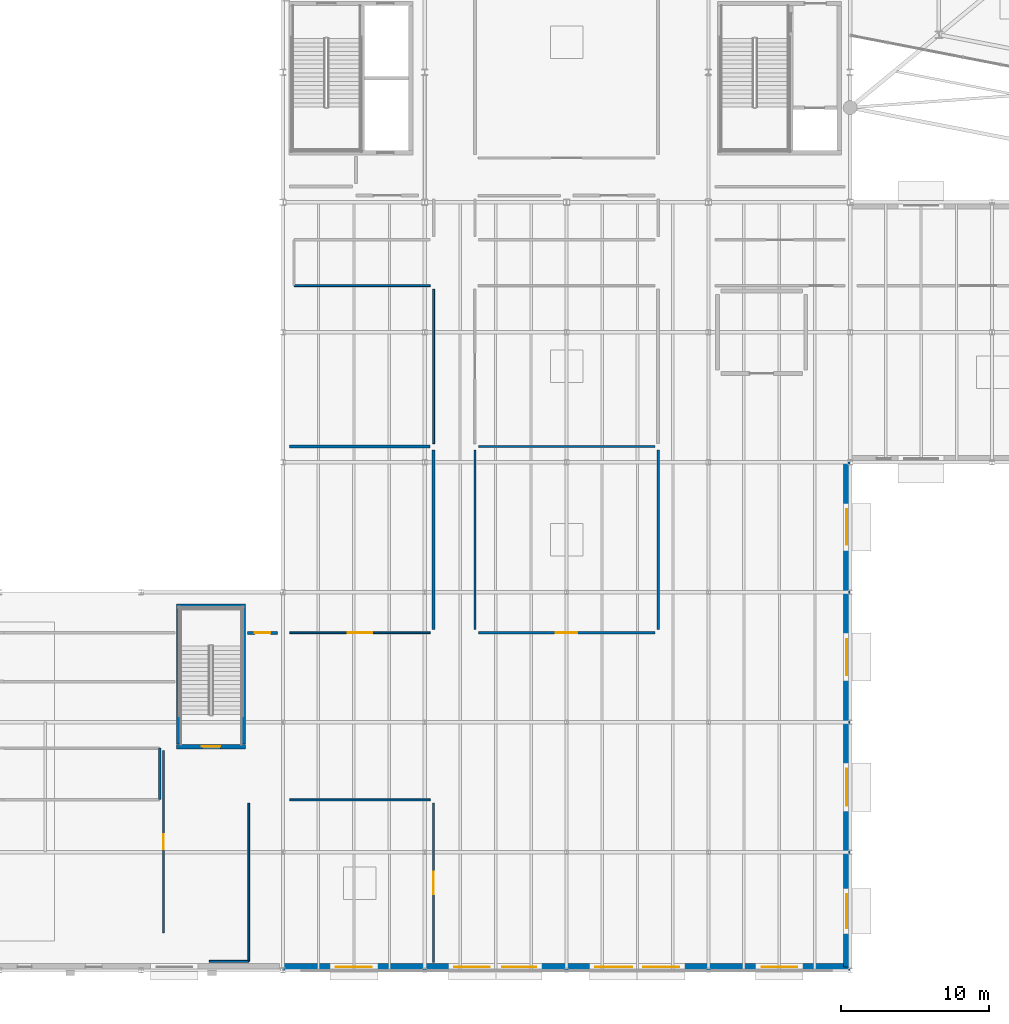
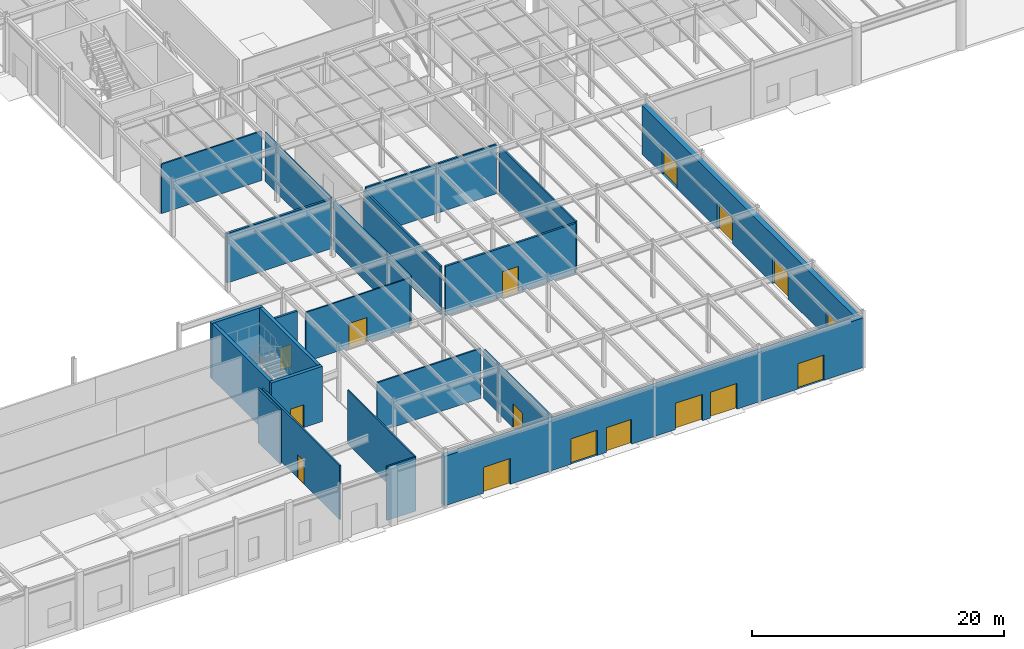
# One storey, part 46 of 70: 22 walls, 16 doors, 16 openings.
"""IFC4 building model written with IfcOpenShell, lengths in metres."""

from ifc_helpers import new_model, si_unit, direction, frame, frame_2d, origin, place, context, subcontext, project, spatial, rectangle, extrude, material, layer, layer_set, type_object, element, fill, save


model = new_model("IFC4")

# Units and contexts
model_context = context("Model", 3, precision=1e-05, world=origin(), true_north=direction((0.0, 1.0)))
body_context = subcontext(model_context, "Body", "Model", "MODEL_VIEW")
ifc_project = project(units=[si_unit("LENGTHUNIT", "METRE"), si_unit("AREAUNIT", "SQUARE_METRE"), si_unit("VOLUMEUNIT", "CUBIC_METRE"), si_unit("PLANEANGLEUNIT", "RADIAN"), si_unit("MASSUNIT", "GRAM", prefix="KILO")], contexts=[model_context])

# Site, building, storey
site_placement = place(None, origin())
site = spatial("IfcSite", under=ifc_project, at=site_placement, CompositionType="ELEMENT")
building_placement = place(site_placement, origin())
building = spatial("IfcBuilding", under=site, at=building_placement, Name="Sarnbrook Museum", CompositionType="ELEMENT")
storey_placement = place(building_placement, origin())
storey = spatial("IfcBuildingStorey", under=building, at=storey_placement, Name="L00", CompositionType="ELEMENT", Elevation=0.0)

# Wall, opening, door
ifc_material_1 = material(Name="Concrete N50 (AS 3600, f'c = 50 MPa)", Category="concrete")
ifc_layer_1 = layer(ifc_material_1, 0.300048828125)
ifc_layer_set_1 = layer_set([ifc_layer_1], Name="Concrete N50 (AS 3600, f'c = 50 MPa)")
wall_type_1 = type_object("IfcWallType", Name="CoreWall_CWRC", PredefinedType="SHEAR", material=ifc_layer_set_1)
wall_1_placement = place(storey_placement, frame((73.60009765625, 19.949951171875, 0.0), z_axis=(0.0, 0.0, 1.0), x_axis=(1.0, 0.0, 0.0)))
wall_1 = element("IfcWall", 1, at=wall_1_placement, inside=storey, type_object=wall_type_1, Name="Core C8 Shear Wall S L00", PredefinedType="SHEAR", context=body_context, shape_type="SweptSolid", body=[
    extrude(rectangle(XDim=4.679931640625, YDim=0.300048828125, at=frame_2d((2.33984375, 0.0))), origin(), (0.0, 0.0, 1.0), 5.344970703125),
])
opening_1_placement = place(wall_1_placement, frame((1.715087890625, 0.0, 0.0)))
opening_1 = element("IfcOpeningElement", 2, at=opening_1_placement, cuts=wall_1, Name="Opening D-ST-ST8-L00", PredefinedType="OPENING", context=body_context, shape_type="SweptSolid", body=[
    extrude(rectangle(XDim=1.25, YDim=2.199951171875, at=frame_2d((0.625, 1.10009765625))), frame((0.0, 0.16015625, 0.0), z_axis=(0.0, -1.0, 0.0), x_axis=(1.0, 0.0, 0.0)), (0.0, 0.0, 1.0), 0.320068359375),
])
ifc_material_2 = material(Name="Tasmanian Oak Acoustic Timber", Category="wood")
door_type_1 = type_object("IfcDoorType", Name="FireDoor_FD120", OperationType="NOTDEFINED", PredefinedType="DOOR", material=ifc_material_2)
door_1_placement = place(opening_1_placement, frame((1.25, 0.0, 0.0), z_axis=(0.0, 0.0, 1.0), x_axis=(-1.0, 0.0, 0.0)))
door_1 = element("IfcDoor", 3, at=door_1_placement, inside=storey, type_object=door_type_1, Name="Exit Stair ST8 Fire Door L00", OperationType="SINGLE_SWING_RIGHT", OverallHeight=2.199951171875, OverallWidth=1.25, PredefinedType="DOOR", context=body_context, shape_type="SweptSolid", body=[
    extrude(rectangle(XDim=1.25, YDim=2.199951171875, at=frame_2d((0.625, 1.10009765625))), frame((0.0, 0.02490234375, 0.0), z_axis=(0.0, -1.0, 0.0), x_axis=(1.0, 0.0, 0.0)), (0.0, 0.0, 1.0), 0.050048828125),
])
fill(opening_1, door_1)

# Walls
wall_2_placement = place(storey_placement, frame((78.280029296875, 29.449951171875, 0.0), z_axis=(0.0, 0.0, 1.0), x_axis=(-1.0, 0.0, 0.0)))
element("IfcWall", 4, at=wall_2_placement, inside=storey, type_object=wall_type_1, Name="Core C8 Shear Wall N L00", PredefinedType="SHEAR", context=body_context, shape_type="SweptSolid", body=[
    extrude(rectangle(XDim=4.679931640625, YDim=0.300048828125, at=frame_2d((2.33984375, 0.0))), origin(), (0.0, 0.0, 1.0), 5.344970703125),
])
for number, where, z_axis, x_axis, name in (
    (5, (78.1298828125, 20.110107421875, 0.0), (0.0, 0.0, 1.0), (0.0, 1.0, 0.0), "Core C8 Shear Wall E L00"),
    (6, (73.75, 29.2900390625, 0.0), (0.0, 0.0, 1.0), (0.0, -1.0, 0.0), "Core C8 Shear Wall W L00"),
):
    element("IfcWall", number, at=place(storey_placement, frame(where, z_axis=z_axis, x_axis=x_axis)), inside=storey, type_object=wall_type_1, Name=name, PredefinedType="SHEAR", context=body_context, shape_type="SweptSolid", body=[
        extrude(rectangle(XDim=9.179931640625, YDim=0.300048828125, at=frame_2d((4.58984375, 0.0))), origin(), (0.0, 0.0, 1.0), 5.344970703125),
    ])
ifc_material_3 = material(Name="Fire-Rated Acoustic Gypsum Plasterboard")
ifc_layer_2 = layer(ifc_material_3, 0.1201171875)
ifc_layer_set_2 = layer_set([ifc_layer_2], Name="Fire-Rated Acoustic Gypsum Plasterboard")
wall_type_2 = type_object("IfcWallType", Name="PartWall_P120", PredefinedType="PARTITIONING", material=ifc_layer_set_2)
wall_3_placement = place(storey_placement, frame((78.489990234375, 5.419921875, 0.0), z_axis=(0.0, 0.0, 1.0), x_axis=(0.0, 1.0, 0.0)))
element("IfcWall", 7, at=wall_3_placement, inside=storey, type_object=wall_type_2, Name="Interior Partition Wall L00-0167", PredefinedType="PARTITIONING", context=body_context, shape_type="SweptSolid", body=[
    extrude(rectangle(XDim=10.7001953125, YDim=0.1201171875, at=frame_2d((5.35009765625, 0.0))), origin(), (0.0, 0.0, 1.0), 5.22998046875),
])

# Wall, opening, door
wall_4_placement = place(storey_placement, frame((90.77001953125, 27.64990234375, 0.0), z_axis=(0.0, 0.0, 1.0), x_axis=(-1.0, 0.0, 0.0)))
wall_4 = element("IfcWall", 8, at=wall_4_placement, inside=storey, type_object=wall_type_2, Name="Interior Partition Wall L00-0195", PredefinedType="PARTITIONING", context=body_context, shape_type="SweptSolid", body=[
    extrude(rectangle(XDim=9.52001953125, YDim=0.1201171875, at=frame_2d((4.760009765625, 0.0))), origin(), (0.0, 0.0, 1.0), 4.787109375),
])
opening_2_placement = place(wall_4_placement, frame((3.929931640625, 0.0, 0.0)))
opening_2 = element("IfcOpeningElement", 9, at=opening_2_placement, cuts=wall_4, Name="Opening D-L00-064", PredefinedType="OPENING", context=body_context, shape_type="SweptSolid", body=[
    extrude(rectangle(XDim=1.659912109375, YDim=2.340087890625, at=frame_2d((0.830078125, 1.169921875))), frame((0.0, 0.070068359375, 0.0), z_axis=(0.0, -1.0, 0.0), x_axis=(1.0, 0.0, 0.0)), (0.0, 0.0, 1.0), 0.14013671875),
])
door_type_2 = type_object("IfcDoorType", Name="IntDoor_DT26", OperationType="NOTDEFINED", PredefinedType="DOOR", material=ifc_material_2)
door_2_placement = place(opening_2_placement, frame((1.659912109375, 0.0, 0.0), z_axis=(0.0, 0.0, 1.0), x_axis=(-1.0, 0.0, 0.0)))
door_2 = element("IfcDoor", 10, at=door_2_placement, inside=storey, type_object=door_type_2, Name="Museum Bookshop & Retail Hall L00-6 Door D-L00-064", OperationType="DOUBLE_DOOR_SINGLE_SWING", OverallHeight=2.340087890625, OverallWidth=1.659912109375, PredefinedType="DOOR", context=body_context, shape_type="SweptSolid", body=[
    extrude(rectangle(XDim=1.659912109375, YDim=2.340087890625, at=frame_2d((0.830078125, 1.169921875))), frame((0.0, 0.02490234375, 0.0), z_axis=(0.0, -1.0, 0.0), x_axis=(1.0, 0.0, 0.0)), (0.0, 0.0, 1.0), 0.050048828125),
])
fill(opening_2, door_2)

# Walls
wall_5_placement = place(storey_placement, frame((91.0, 50.919921875, 0.0), z_axis=(0.0, 0.0, 1.0), x_axis=(0.0, -1.0, 0.0)))
element("IfcWall", 11, at=wall_5_placement, inside=storey, type_object=wall_type_2, Name="Interior Partition Wall L00-0202", PredefinedType="PARTITIONING", context=body_context, shape_type="SweptSolid", body=[
    extrude(rectangle(XDim=10.469970703125, YDim=0.1201171875, at=frame_2d((5.23486328125, 0.0))), origin(), (0.0, 0.0, 1.0), 4.7080078125),
])
ifc_layer_3 = layer(ifc_material_3, 0.135009765625)
ifc_layer_set_3 = layer_set([ifc_layer_3], Name="Fire-Rated Acoustic Gypsum Plasterboard")
wall_type_3 = type_object("IfcWallType", Name="PartWall_P135", PredefinedType="PARTITIONING", material=ifc_layer_set_3)
wall_6_placement = place(storey_placement, frame((75.824462890625, 5.409912109375, 0.0), z_axis=(0.0, 0.0, 1.0), x_axis=(1.0, 0.0, 0.0)))
element("IfcWall", 12, at=wall_6_placement, inside=storey, type_object=wall_type_3, Name="Interior Partition Wall L00-0166", PredefinedType="PARTITIONING", context=body_context, shape_type="SweptSolid", body=[
    extrude(rectangle(XDim=2.655517578125, YDim=0.135009765625, at=frame_2d((1.32763671875, 0.0))), origin(), (0.0, 0.0, 1.0), 5.22998046875),
])
wall_7_placement = place(storey_placement, frame((81.25, 16.35009765625, 0.0), z_axis=(0.0, 0.0, 1.0), x_axis=(1.0, 0.0, 0.0)))
element("IfcWall", 13, at=wall_7_placement, inside=storey, type_object=wall_type_3, Name="Interior Partition Wall L00-0194", PredefinedType="PARTITIONING", context=body_context, shape_type="SweptSolid", body=[
    extrude(rectangle(XDim=9.52001953125, YDim=0.135009765625, at=frame_2d((4.760009765625, 0.0))), origin(), (0.0, 0.0, 1.0), 4.826904296875),
])
wall_8_placement = place(storey_placement, frame((81.56005859375, 51.14990234375, 0.0), z_axis=(0.0, 0.0, 1.0), x_axis=(1.0, 0.0, 0.0)))
element("IfcWall", 14, at=wall_8_placement, inside=storey, type_object=wall_type_3, Name="Interior Partition Wall L00-0201", PredefinedType="PARTITIONING", context=body_context, shape_type="SweptSolid", body=[
    extrude(rectangle(XDim=9.2099609375, YDim=0.135009765625, at=frame_2d((4.60498046875, 0.0))), origin(), (0.0, 0.0, 1.0), 4.787109375),
])

# Wall, opening, door
ifc_layer_4 = layer(ifc_material_3, 0.14990234375)
ifc_layer_set_4 = layer_set([ifc_layer_4], Name="Fire-Rated Acoustic Gypsum Plasterboard")
wall_type_4 = type_object("IfcWallType", Name="PartWall_P150", PredefinedType="PARTITIONING", material=ifc_layer_set_4)
wall_9_placement = place(storey_placement, frame((72.7099609375, 19.679931640625, 0.0), z_axis=(0.0, 0.0, 1.0), x_axis=(0.0, -1.0, 0.0)))
wall_9 = element("IfcWall", 15, at=wall_9_placement, inside=storey, type_object=wall_type_4, Name="Interior Partition Wall L00-0165", PredefinedType="PARTITIONING", context=body_context, shape_type="SweptSolid", body=[
    extrude(rectangle(XDim=12.34716796875, YDim=0.14990234375, at=frame_2d((6.173583984375, 0.0))), origin(), (0.0, 0.0, 1.0), 5.22998046875),
])
opening_3_placement = place(wall_9_placement, frame((5.66357421875, 0.0, 0.0)))
opening_3 = element("IfcOpeningElement", 16, at=opening_3_placement, cuts=wall_9, Name="Opening D-L00-053", PredefinedType="OPENING", context=body_context, shape_type="SweptSolid", body=[
    extrude(rectangle(XDim=1.02001953125, YDim=2.239990234375, at=frame_2d((0.510009765625, 1.1201171875))), frame((0.0, 0.0849609375, 0.0), z_axis=(0.0, -1.0, 0.0), x_axis=(1.0, 0.0, 0.0)), (0.0, 0.0, 1.0), 0.169921875),
])
door_type_3 = type_object("IfcDoorType", Name="IntDoor_DT15", OperationType="NOTDEFINED", PredefinedType="DOOR", material=ifc_material_2)
door_3_placement = place(opening_3_placement, frame((1.02001953125, 0.0, 0.0), z_axis=(0.0, 0.0, 1.0), x_axis=(-1.0, 0.0, 0.0)))
door_3 = element("IfcDoor", 17, at=door_3_placement, inside=storey, type_object=door_type_3, Name="Main Neoclassical Lecture Auditorium Door D-L00-053", OperationType="SINGLE_SWING_LEFT", OverallHeight=2.239990234375, OverallWidth=1.02001953125, PredefinedType="DOOR", context=body_context, shape_type="SweptSolid", body=[
    extrude(rectangle(XDim=1.02001953125, YDim=2.239990234375, at=frame_2d((0.510009765625, 1.1201171875))), frame((0.0, 0.02490234375, 0.0), z_axis=(0.0, -1.0, 0.0), x_axis=(1.0, 0.0, 0.0)), (0.0, 0.0, 1.0), 0.050048828125),
])
fill(opening_3, door_3)

wall_10_placement = place(storey_placement, frame((91.0, 16.1201171875, 0.0), z_axis=(0.0, 0.0, 1.0), x_axis=(0.0, -1.0, 0.0)))
wall_10 = element("IfcWall", 18, at=wall_10_placement, inside=storey, type_object=wall_type_4, Name="Interior Partition Wall L00-0193", PredefinedType="PARTITIONING", context=body_context, shape_type="SweptSolid", body=[
    extrude(rectangle(XDim=10.780029296875, YDim=0.14990234375, at=frame_2d((5.39013671875, 0.0))), origin(), (0.0, 0.0, 1.0), 4.748046875),
])
opening_4_placement = place(wall_10_placement, frame((4.6298828125, 0.0, 0.0)))
opening_4 = element("IfcOpeningElement", 19, at=opening_4_placement, cuts=wall_10, Name="Opening D-L00-063", PredefinedType="OPENING", context=body_context, shape_type="SweptSolid", body=[
    extrude(rectangle(XDim=1.52001953125, YDim=2.340087890625, at=frame_2d((0.760009765625, 1.169921875))), frame((0.0, 0.0849609375, 0.0), z_axis=(0.0, -1.0, 0.0), x_axis=(1.0, 0.0, 0.0)), (0.0, 0.0, 1.0), 0.169921875),
])
door_type_4 = type_object("IfcDoorType", Name="IntDoor_DT25", OperationType="NOTDEFINED", PredefinedType="DOOR", material=ifc_material_2)
door_4_placement = place(opening_4_placement, frame((1.52001953125, 0.0, 0.0), z_axis=(0.0, 0.0, 1.0), x_axis=(-1.0, 0.0, 0.0)))
door_4 = element("IfcDoor", 20, at=door_4_placement, inside=storey, type_object=door_type_4, Name="Sculpture Plinth Gallery L00-5 Door D-L00-063", OperationType="SINGLE_SWING_LEFT", OverallHeight=2.340087890625, OverallWidth=1.52001953125, PredefinedType="DOOR", context=body_context, shape_type="SweptSolid", body=[
    extrude(rectangle(XDim=1.52001953125, YDim=2.340087890625, at=frame_2d((0.760009765625, 1.169921875))), frame((0.0, 0.02490234375, 0.0), z_axis=(0.0, -1.0, 0.0), x_axis=(1.0, 0.0, 0.0)), (0.0, 0.0, 1.0), 0.050048828125),
])
fill(opening_4, door_4)

# Walls
wall_11_placement = place(storey_placement, frame((106.199951171875, 40.030029296875, 0.0), z_axis=(0.0, 0.0, 1.0), x_axis=(0.0, -1.0, 0.0)))
element("IfcWall", 21, at=wall_11_placement, inside=storey, type_object=wall_type_4, Name="Interior Partition Wall L00-0214", PredefinedType="PARTITIONING", context=body_context, shape_type="SweptSolid", body=[
    extrude(rectangle(XDim=12.150146484375, YDim=0.14990234375, at=frame_2d((6.0751953125, 0.0))), origin(), (0.0, 0.0, 1.0), 4.7080078125),
])
wall_12_placement = place(storey_placement, frame((94.030029296875, 40.260009765625, 0.0), z_axis=(0.0, 0.0, 1.0), x_axis=(1.0, 0.0, 0.0)))
element("IfcWall", 22, at=wall_12_placement, inside=storey, type_object=wall_type_4, Name="Interior Partition Wall L00-0284", PredefinedType="PARTITIONING", context=body_context, shape_type="SweptSolid", body=[
    extrude(rectangle(XDim=11.93994140625, YDim=0.14990234375, at=frame_2d((5.969970703125, 0.0))), origin(), (0.0, 0.0, 1.0), 4.787109375),
])
ifc_layer_5 = layer(ifc_material_3, 0.1650390625)
ifc_layer_set_5 = layer_set([ifc_layer_5], Name="Fire-Rated Acoustic Gypsum Plasterboard")
wall_type_5 = type_object("IfcWallType", Name="PartWall_P165", PredefinedType="PARTITIONING", material=ifc_layer_set_5)
wall_13_placement = place(storey_placement, frame((72.449951171875, 16.360107421875, 0.0), z_axis=(0.0, 0.0, 1.0), x_axis=(0.0, 1.0, 0.0)))
element("IfcWall", 23, at=wall_13_placement, inside=storey, type_object=wall_type_5, Name="Interior Partition Wall L00-0164", PredefinedType="PARTITIONING", context=body_context, shape_type="SweptSolid", body=[
    extrude(rectangle(XDim=3.47998046875, YDim=0.1650390625, at=frame_2d((1.739990234375, 0.0))), origin(), (0.0, 0.0, 1.0), 5.22998046875),
])
wall_14_placement = place(storey_placement, frame((93.800048828125, 27.8798828125, 0.0), z_axis=(0.0, 0.0, 1.0), x_axis=(0.0, 1.0, 0.0)))
element("IfcWall", 24, at=wall_14_placement, inside=storey, type_object=wall_type_5, Name="Interior Partition Wall L00-0213", PredefinedType="PARTITIONING", context=body_context, shape_type="SweptSolid", body=[
    extrude(rectangle(XDim=12.150146484375, YDim=0.1650390625, at=frame_2d((6.0751953125, 0.0))), origin(), (0.0, 0.0, 1.0), 4.7080078125),
])

# Wall, opening, door
ifc_layer_6 = layer(ifc_material_3, 0.179931640625)
ifc_layer_set_6 = layer_set([ifc_layer_6], Name="Fire-Rated Acoustic Gypsum Plasterboard")
wall_type_6 = type_object("IfcWallType", Name="PartWall_P180", PredefinedType="PARTITIONING", material=ifc_layer_set_6)
wall_15_placement = place(storey_placement, frame((105.969970703125, 27.64990234375, 0.0), z_axis=(0.0, 0.0, 1.0), x_axis=(-1.0, 0.0, 0.0)))
wall_15 = element("IfcWall", 25, at=wall_15_placement, inside=storey, type_object=wall_type_6, Name="Interior Partition Wall L00-0212", PredefinedType="PARTITIONING", context=body_context, shape_type="SweptSolid", body=[
    extrude(rectangle(XDim=11.93994140625, YDim=0.179931640625, at=frame_2d((5.969970703125, 0.0))), origin(), (0.0, 0.0, 1.0), 4.787109375),
])
opening_5_placement = place(wall_15_placement, frame((5.239990234375, 0.0, 0.0)))
opening_5 = element("IfcOpeningElement", 26, at=opening_5_placement, cuts=wall_15, Name="Opening D-L00-067", PredefinedType="OPENING", context=body_context, shape_type="SweptSolid", body=[
    extrude(rectangle(XDim=1.4599609375, YDim=2.4599609375, at=frame_2d((0.72998046875, 1.22998046875))), frame((0.0, 0.10009765625, 0.0), z_axis=(0.0, -1.0, 0.0), x_axis=(1.0, 0.0, 0.0)), (0.0, 0.0, 1.0), 0.199951171875),
])
door_type_5 = type_object("IfcDoorType", Name="IntDoor_DT29", OperationType="NOTDEFINED", PredefinedType="DOOR", material=ifc_material_2)
door_5_placement = place(opening_5_placement, frame((1.4599609375, 0.0, 0.0), z_axis=(0.0, 0.0, 1.0), x_axis=(-1.0, 0.0, 0.0)))
door_5 = element("IfcDoor", 27, at=door_5_placement, inside=storey, type_object=door_type_5, Name="Earth & Tectonics Gallery L00-11 Door D-L00-067", OperationType="SINGLE_SWING_LEFT", OverallHeight=2.4599609375, OverallWidth=1.4599609375, PredefinedType="DOOR", context=body_context, shape_type="SweptSolid", body=[
    extrude(rectangle(XDim=1.4599609375, YDim=2.4599609375, at=frame_2d((0.72998046875, 1.22998046875))), frame((0.0, 0.02490234375, 0.0), z_axis=(0.0, -1.0, 0.0), x_axis=(1.0, 0.0, 0.0)), (0.0, 0.0, 1.0), 0.050048828125),
])
fill(opening_5, door_5)

ifc_layer_7 = layer(ifc_material_3, 0.195068359375)
ifc_layer_set_7 = layer_set([ifc_layer_7], Name="Fire-Rated Acoustic Gypsum Plasterboard")
wall_type_7 = type_object("IfcWallType", Name="PartWall_P195", PredefinedType="PARTITIONING", material=ifc_layer_set_7)
wall_16_placement = place(storey_placement, frame((80.43994140625, 27.64990234375, 0.0), z_axis=(0.0, 0.0, 1.0), x_axis=(-1.0, 0.0, 0.0)))
wall_16 = element("IfcWall", 28, at=wall_16_placement, inside=storey, type_object=wall_type_7, Name="Interior Partition Wall L00-0239", PredefinedType="PARTITIONING", context=body_context, shape_type="SweptSolid", body=[
    extrude(rectangle(XDim=2.0400390625, YDim=0.195068359375, at=frame_2d((1.02001953125, 0.0))), origin(), (0.0, 0.0, 1.0), 5.22998046875),
])
opening_6_placement = place(wall_16_placement, frame((0.4951171875, 0.0, 0.0)))
opening_6 = element("IfcOpeningElement", 29, at=opening_6_placement, cuts=wall_16, Name="Opening D-L00-075", PredefinedType="OPENING", context=body_context, shape_type="SweptSolid", body=[
    extrude(rectangle(XDim=1.050048828125, YDim=2.14990234375, at=frame_2d((0.52490234375, 1.074951171875))), frame((0.0, 0.107421875, 0.0), z_axis=(0.0, -1.0, 0.0), x_axis=(1.0, 0.0, 0.0)), (0.0, 0.0, 1.0), 0.215087890625),
])
door_type_6 = type_object("IfcDoorType", Name="FireDoor_FD60", OperationType="NOTDEFINED", PredefinedType="DOOR", material=ifc_material_2)
door_6_placement = place(opening_6_placement, frame((1.050048828125, 0.0, 0.0), z_axis=(0.0, 0.0, 1.0), x_axis=(-1.0, 0.0, 0.0)))
door_6 = element("IfcDoor", 30, at=door_6_placement, inside=storey, type_object=door_type_6, Name="Main Raked Lecture Auditorium L00-22 Door D-L00-075", OperationType="SINGLE_SWING_RIGHT", OverallHeight=2.14990234375, OverallWidth=1.050048828125, PredefinedType="DOOR", context=body_context, shape_type="SweptSolid", body=[
    extrude(rectangle(XDim=1.050048828125, YDim=2.14990234375, at=frame_2d((0.52490234375, 1.074951171875))), frame((0.0, 0.02490234375, 0.0), z_axis=(0.0, -1.0, 0.0), x_axis=(1.0, 0.0, 0.0)), (0.0, 0.0, 1.0), 0.050048828125),
])
fill(opening_6, door_6)

# Walls
wall_17_placement = place(storey_placement, frame((81.25, 40.260009765625, 0.0), z_axis=(0.0, 0.0, 1.0), x_axis=(1.0, 0.0, 0.0)))
element("IfcWall", 31, at=wall_17_placement, inside=storey, type_object=wall_type_7, Name="Interior Partition Wall L00-0281", PredefinedType="PARTITIONING", context=body_context, shape_type="SweptSolid", body=[
    extrude(rectangle(XDim=9.52001953125, YDim=0.195068359375, at=frame_2d((4.760009765625, 0.0))), origin(), (0.0, 0.0, 1.0), 4.787109375),
])
ifc_layer_8 = layer(ifc_material_3, 0.2099609375)
ifc_layer_set_8 = layer_set([ifc_layer_8], Name="Fire-Rated Acoustic Gypsum Plasterboard")
wall_type_8 = type_object("IfcWallType", Name="PartWall_P210", PredefinedType="PARTITIONING", material=ifc_layer_set_8)
wall_18_placement = place(storey_placement, frame((91.0, 40.030029296875, 0.0), z_axis=(0.0, 0.0, 1.0), x_axis=(0.0, -1.0, 0.0)))
element("IfcWall", 32, at=wall_18_placement, inside=storey, type_object=wall_type_8, Name="Interior Partition Wall L00-0196", PredefinedType="PARTITIONING", context=body_context, shape_type="SweptSolid", body=[
    extrude(rectangle(XDim=12.150146484375, YDim=0.2099609375, at=frame_2d((6.0751953125, 0.0))), origin(), (0.0, 0.0, 1.0), 4.7080078125),
])

# Wall, openings, doors
ifc_material_4 = material(Name="Barrabool Sandstone Ashlar Cladding", Category="masonry")
ifc_layer_9 = layer(ifc_material_4, 0.4599609375)
ifc_layer_set_9 = layer_set([ifc_layer_9], Name="Barrabool Sandstone Ashlar Cladding")
wall_type_9 = type_object("IfcWallType", Name="Wall_SandstoneExt460", PredefinedType="SOLIDWALL", material=ifc_layer_set_9)
wall_19_placement = place(storey_placement, frame((80.800048828125, 5.030029296875, 0.0), z_axis=(0.0, 0.0, 1.0), x_axis=(1.0, 0.0, 0.0)))
wall_19 = element("IfcWall", 33, at=wall_19_placement, inside=storey, type_object=wall_type_9, Name="Classical Sandstone Facade Wall L00-01", PredefinedType="SOLIDWALL", context=body_context, shape_type="SweptSolid", body=[
    extrude(rectangle(XDim=38.39990234375, YDim=0.4599609375, at=frame_2d((19.199951171875, 0.0))), origin(), (0.0, 0.0, 1.0), 4.802001953125),
])
opening_7_placement = place(wall_19_placement, frame((3.574951171875, 0.0, 0.0)))
opening_7 = element("IfcOpeningElement", 34, at=opening_7_placement, cuts=wall_19, Name="Opening ED01", PredefinedType="OPENING", context=body_context, shape_type="SweptSolid", body=[
    extrude(rectangle(XDim=2.449951171875, YDim=2.5, at=frame_2d((1.22509765625, 1.25))), frame((0.0, 0.239990234375, 0.0), z_axis=(0.0, -1.0, 0.0), x_axis=(1.0, 0.0, 0.0)), (0.0, 0.0, 1.0), 0.47998046875),
])
opening_8_placement = place(wall_19_placement, frame((11.60009765625, 0.0, 0.0)))
opening_8 = element("IfcOpeningElement", 35, at=opening_8_placement, cuts=wall_19, Name="Opening ED02", PredefinedType="OPENING", context=body_context, shape_type="SweptSolid", body=[
    extrude(rectangle(XDim=2.39990234375, YDim=2.449951171875, at=frame_2d((1.199951171875, 1.22509765625))), frame((0.0, 0.239990234375, 0.0), z_axis=(0.0, -1.0, 0.0), x_axis=(1.0, 0.0, 0.0)), (0.0, 0.0, 1.0), 0.47998046875),
])
opening_9_placement = place(wall_19_placement, frame((14.85009765625, 0.0, 0.0)))
opening_9 = element("IfcOpeningElement", 36, at=opening_9_placement, cuts=wall_19, Name="Opening ED03", PredefinedType="OPENING", context=body_context, shape_type="SweptSolid", body=[
    extrude(rectangle(XDim=2.300048828125, YDim=2.39990234375, at=frame_2d((1.14990234375, 1.199951171875))), frame((0.0, 0.239990234375, 0.0), z_axis=(0.0, -1.0, 0.0), x_axis=(1.0, 0.0, 0.0)), (0.0, 0.0, 1.0), 0.47998046875),
])
opening_10_placement = place(wall_19_placement, frame((21.14990234375, 0.0, 0.0)))
opening_10 = element("IfcOpeningElement", 37, at=opening_10_placement, cuts=wall_19, Name="Opening ED04", PredefinedType="OPENING", context=body_context, shape_type="SweptSolid", body=[
    extrude(rectangle(XDim=2.5, YDim=2.550048828125, at=frame_2d((1.25, 1.27490234375))), frame((0.0, 0.239990234375, 0.0), z_axis=(0.0, -1.0, 0.0), x_axis=(1.0, 0.0, 0.0)), (0.0, 0.0, 1.0), 0.47998046875),
])
opening_11_placement = place(wall_19_placement, frame((24.375, 0.0, 0.0)))
opening_11 = element("IfcOpeningElement", 38, at=opening_11_placement, cuts=wall_19, Name="Opening ED05", PredefinedType="OPENING", context=body_context, shape_type="SweptSolid", body=[
    extrude(rectangle(XDim=2.449951171875, YDim=2.5, at=frame_2d((1.22509765625, 1.25))), frame((0.0, 0.239990234375, 0.0), z_axis=(0.0, -1.0, 0.0), x_axis=(1.0, 0.0, 0.0)), (0.0, 0.0, 1.0), 0.47998046875),
])
opening_12_placement = place(wall_19_placement, frame((32.39990234375, 0.0, 0.0)))
opening_12 = element("IfcOpeningElement", 39, at=opening_12_placement, cuts=wall_19, Name="Opening ED06", PredefinedType="OPENING", context=body_context, shape_type="SweptSolid", body=[
    extrude(rectangle(XDim=2.39990234375, YDim=2.449951171875, at=frame_2d((1.199951171875, 1.22509765625))), frame((0.0, 0.239990234375, 0.0), z_axis=(0.0, -1.0, 0.0), x_axis=(1.0, 0.0, 0.0)), (0.0, 0.0, 1.0), 0.47998046875),
])
ifc_material_5 = material(Name="Thermally Broken Anodised Aluminium 6063-T6", Category="aluminium")
door_type_7 = type_object("IfcDoorType", Name="DoorType_EDT1", OperationType="DOUBLE_DOOR_SINGLE_SWING", PredefinedType="DOOR", material=ifc_material_5)
door_7_placement = place(opening_7_placement, frame((2.449951171875, 0.0, 0.0), z_axis=(0.0, 0.0, 1.0), x_axis=(-1.0, 0.0, 0.0)))
door_7 = element("IfcDoor", 40, at=door_7_placement, inside=storey, type_object=door_type_7, Name="South Grand Entrance Pedestrian Exit Door ED01", OperationType="DOUBLE_DOOR_SINGLE_SWING", OverallHeight=2.5, OverallWidth=2.449951171875, PredefinedType="DOOR", context=body_context, shape_type="SweptSolid", body=[
    extrude(rectangle(XDim=2.449951171875, YDim=2.5, at=frame_2d((1.22509765625, 1.25))), frame((0.0, 0.02490234375, 0.0), z_axis=(0.0, -1.0, 0.0), x_axis=(1.0, 0.0, 0.0)), (0.0, 0.0, 1.0), 0.050048828125),
])
fill(opening_7, door_7)
door_8_placement = place(opening_11_placement, frame((2.449951171875, 0.0, 0.0), z_axis=(0.0, 0.0, 1.0), x_axis=(-1.0, 0.0, 0.0)))
door_8 = element("IfcDoor", 41, at=door_8_placement, inside=storey, type_object=door_type_7, Name="South Grand Entrance Pedestrian Exit Door ED05", OperationType="DOUBLE_DOOR_SINGLE_SWING", OverallHeight=2.5, OverallWidth=2.449951171875, PredefinedType="DOOR", context=body_context, shape_type="SweptSolid", body=[
    extrude(rectangle(XDim=2.449951171875, YDim=2.5, at=frame_2d((1.22509765625, 1.25))), frame((0.0, 0.02490234375, 0.0), z_axis=(0.0, -1.0, 0.0), x_axis=(1.0, 0.0, 0.0)), (0.0, 0.0, 1.0), 0.050048828125),
])
fill(opening_11, door_8)
door_type_8 = type_object("IfcDoorType", Name="DoorType_EDT2", OperationType="DOUBLE_DOOR_SINGLE_SWING", PredefinedType="DOOR", material=ifc_material_5)
door_9_placement = place(opening_8_placement, frame((2.39990234375, 0.0, 0.0), z_axis=(0.0, 0.0, 1.0), x_axis=(-1.0, 0.0, 0.0)))
door_9 = element("IfcDoor", 42, at=door_9_placement, inside=storey, type_object=door_type_8, Name="South Grand Entrance Pedestrian Exit Door ED02", OperationType="DOUBLE_DOOR_SINGLE_SWING", OverallHeight=2.449951171875, OverallWidth=2.39990234375, PredefinedType="DOOR", context=body_context, shape_type="SweptSolid", body=[
    extrude(rectangle(XDim=2.39990234375, YDim=2.449951171875, at=frame_2d((1.199951171875, 1.22509765625))), frame((0.0, 0.02490234375, 0.0), z_axis=(0.0, -1.0, 0.0), x_axis=(1.0, 0.0, 0.0)), (0.0, 0.0, 1.0), 0.050048828125),
])
fill(opening_8, door_9)
door_10_placement = place(opening_12_placement, frame((2.39990234375, 0.0, 0.0), z_axis=(0.0, 0.0, 1.0), x_axis=(-1.0, 0.0, 0.0)))
door_10 = element("IfcDoor", 43, at=door_10_placement, inside=storey, type_object=door_type_8, Name="South Grand Entrance Pedestrian Exit Door ED06", OperationType="DOUBLE_DOOR_SINGLE_SWING", OverallHeight=2.449951171875, OverallWidth=2.39990234375, PredefinedType="DOOR", context=body_context, shape_type="SweptSolid", body=[
    extrude(rectangle(XDim=2.39990234375, YDim=2.449951171875, at=frame_2d((1.199951171875, 1.22509765625))), frame((0.0, 0.02490234375, 0.0), z_axis=(0.0, -1.0, 0.0), x_axis=(1.0, 0.0, 0.0)), (0.0, 0.0, 1.0), 0.050048828125),
])
fill(opening_12, door_10)
ifc_material_6 = material(Name="Brushed Stainless Steel Grade 316", Category="steel")
door_type_9 = type_object("IfcDoorType", Name="DoorType_EDT3", OperationType="DOUBLE_DOOR_SINGLE_SWING", PredefinedType="DOOR", material=ifc_material_6)
door_11_placement = place(opening_9_placement, frame((2.300048828125, 0.0, 0.0), z_axis=(0.0, 0.0, 1.0), x_axis=(-1.0, 0.0, 0.0)))
door_11 = element("IfcDoor", 44, at=door_11_placement, inside=storey, type_object=door_type_9, Name="South Grand Entrance Pedestrian Exit Door ED03", OperationType="DOUBLE_DOOR_SINGLE_SWING", OverallHeight=2.39990234375, OverallWidth=2.300048828125, PredefinedType="DOOR", context=body_context, shape_type="SweptSolid", body=[
    extrude(rectangle(XDim=2.300048828125, YDim=2.39990234375, at=frame_2d((1.14990234375, 1.199951171875))), frame((0.0, 0.02490234375, 0.0), z_axis=(0.0, -1.0, 0.0), x_axis=(1.0, 0.0, 0.0)), (0.0, 0.0, 1.0), 0.050048828125),
])
fill(opening_9, door_11)
door_type_10 = type_object("IfcDoorType", Name="DoorType_EDT4", OperationType="DOUBLE_DOOR_SINGLE_SWING", PredefinedType="DOOR", material=ifc_material_5)
door_12_placement = place(opening_10_placement, frame((2.5, 0.0, 0.0), z_axis=(0.0, 0.0, 1.0), x_axis=(-1.0, 0.0, 0.0)))
door_12 = element("IfcDoor", 45, at=door_12_placement, inside=storey, type_object=door_type_10, Name="South Grand Entrance Pedestrian Exit Door ED04", OperationType="DOUBLE_DOOR_SINGLE_SWING", OverallHeight=2.550048828125, OverallWidth=2.5, PredefinedType="DOOR", context=body_context, shape_type="SweptSolid", body=[
    extrude(rectangle(XDim=2.5, YDim=2.550048828125, at=frame_2d((1.25, 1.27490234375))), frame((0.0, 0.02490234375, 0.0), z_axis=(0.0, -1.0, 0.0), x_axis=(1.0, 0.0, 0.0)), (0.0, 0.0, 1.0), 0.050048828125),
])
fill(opening_10, door_12)

wall_20_placement = place(storey_placement, frame((118.969970703125, 5.035888671875, 0.0), z_axis=(0.0, 0.0, 1.0), x_axis=(0.0, 1.0, 0.0)))
wall_20 = element("IfcWall", 46, at=wall_20_placement, inside=storey, type_object=wall_type_9, Name="Classical Sandstone Facade Wall L00-02", PredefinedType="SOLIDWALL", context=body_context, shape_type="SweptSolid", body=[
    extrude(rectangle(XDim=34.1640625, YDim=0.4599609375, at=frame_2d((17.08203125, 0.0))), origin(), (0.0, 0.0, 1.0), 4.722900390625),
])
opening_13_placement = place(wall_20_placement, frame((2.614013671875, 0.0, 0.0)))
opening_13 = element("IfcOpeningElement", 47, at=opening_13_placement, cuts=wall_20, Name="Opening ED07", PredefinedType="OPENING", context=body_context, shape_type="SweptSolid", body=[
    extrude(rectangle(XDim=2.300048828125, YDim=2.39990234375, at=frame_2d((1.14990234375, 1.199951171875))), frame((0.0, 0.239990234375, 0.0), z_axis=(0.0, -1.0, 0.0), x_axis=(1.0, 0.0, 0.0)), (0.0, 0.0, 1.0), 0.47998046875),
])
opening_14_placement = place(wall_20_placement, frame((10.9140625, 0.0, 0.0)))
opening_14 = element("IfcOpeningElement", 48, at=opening_14_placement, cuts=wall_20, Name="Opening ED08", PredefinedType="OPENING", context=body_context, shape_type="SweptSolid", body=[
    extrude(rectangle(XDim=2.5, YDim=2.550048828125, at=frame_2d((1.25, 1.27490234375))), frame((0.0, 0.239990234375, 0.0), z_axis=(0.0, -1.0, 0.0), x_axis=(1.0, 0.0, 0.0)), (0.0, 0.0, 1.0), 0.47998046875),
])
opening_15_placement = place(wall_20_placement, frame((19.739013671875, 0.0, 0.0)))
opening_15 = element("IfcOpeningElement", 49, at=opening_15_placement, cuts=wall_20, Name="Opening ED09", PredefinedType="OPENING", context=body_context, shape_type="SweptSolid", body=[
    extrude(rectangle(XDim=2.449951171875, YDim=2.5, at=frame_2d((1.22509765625, 1.25))), frame((0.0, 0.239990234375, 0.0), z_axis=(0.0, -1.0, 0.0), x_axis=(1.0, 0.0, 0.0)), (0.0, 0.0, 1.0), 0.47998046875),
])
opening_16_placement = place(wall_20_placement, frame((28.56396484375, 0.0, 0.0)))
opening_16 = element("IfcOpeningElement", 50, at=opening_16_placement, cuts=wall_20, Name="Opening ED10", PredefinedType="OPENING", context=body_context, shape_type="SweptSolid", body=[
    extrude(rectangle(XDim=2.39990234375, YDim=2.449951171875, at=frame_2d((1.199951171875, 1.22509765625))), frame((0.0, 0.239990234375, 0.0), z_axis=(0.0, -1.0, 0.0), x_axis=(1.0, 0.0, 0.0)), (0.0, 0.0, 1.0), 0.47998046875),
])
door_13_placement = place(opening_15_placement, frame((2.449951171875, 0.0, 0.0), z_axis=(0.0, 0.0, 1.0), x_axis=(-1.0, 0.0, 0.0)))
door_13 = element("IfcDoor", 51, at=door_13_placement, inside=storey, type_object=door_type_7, Name="East Forecourt Pedestrian Exit Door ED09", OperationType="DOUBLE_DOOR_SINGLE_SWING", OverallHeight=2.5, OverallWidth=2.449951171875, PredefinedType="DOOR", context=body_context, shape_type="SweptSolid", body=[
    extrude(rectangle(XDim=2.449951171875, YDim=2.5, at=frame_2d((1.22509765625, 1.25))), frame((0.0, 0.02490234375, 0.0), z_axis=(0.0, -1.0, 0.0), x_axis=(1.0, 0.0, 0.0)), (0.0, 0.0, 1.0), 0.050048828125),
])
fill(opening_15, door_13)
door_14_placement = place(opening_16_placement, frame((2.39990234375, 0.0, 0.0), z_axis=(0.0, 0.0, 1.0), x_axis=(-1.0, 0.0, 0.0)))
door_14 = element("IfcDoor", 52, at=door_14_placement, inside=storey, type_object=door_type_8, Name="East Forecourt Pedestrian Exit Door ED10", OperationType="DOUBLE_DOOR_SINGLE_SWING", OverallHeight=2.449951171875, OverallWidth=2.39990234375, PredefinedType="DOOR", context=body_context, shape_type="SweptSolid", body=[
    extrude(rectangle(XDim=2.39990234375, YDim=2.449951171875, at=frame_2d((1.199951171875, 1.22509765625))), frame((0.0, 0.02490234375, 0.0), z_axis=(0.0, -1.0, 0.0), x_axis=(1.0, 0.0, 0.0)), (0.0, 0.0, 1.0), 0.050048828125),
])
fill(opening_16, door_14)
door_15_placement = place(opening_13_placement, frame((2.300048828125, 0.0, 0.0), z_axis=(0.0, 0.0, 1.0), x_axis=(-1.0, 0.0, 0.0)))
door_15 = element("IfcDoor", 53, at=door_15_placement, inside=storey, type_object=door_type_9, Name="East Forecourt Pedestrian Exit Door ED07", OperationType="DOUBLE_DOOR_SINGLE_SWING", OverallHeight=2.39990234375, OverallWidth=2.300048828125, PredefinedType="DOOR", context=body_context, shape_type="SweptSolid", body=[
    extrude(rectangle(XDim=2.300048828125, YDim=2.39990234375, at=frame_2d((1.14990234375, 1.199951171875))), frame((0.0, 0.02490234375, 0.0), z_axis=(0.0, -1.0, 0.0), x_axis=(1.0, 0.0, 0.0)), (0.0, 0.0, 1.0), 0.050048828125),
])
fill(opening_13, door_15)
door_16_placement = place(opening_14_placement, frame((2.5, 0.0, 0.0), z_axis=(0.0, 0.0, 1.0), x_axis=(-1.0, 0.0, 0.0)))
door_16 = element("IfcDoor", 54, at=door_16_placement, inside=storey, type_object=door_type_10, Name="East Forecourt Pedestrian Exit Door ED08", OperationType="DOUBLE_DOOR_SINGLE_SWING", OverallHeight=2.550048828125, OverallWidth=2.5, PredefinedType="DOOR", context=body_context, shape_type="SweptSolid", body=[
    extrude(rectangle(XDim=2.5, YDim=2.550048828125, at=frame_2d((1.25, 1.27490234375))), frame((0.0, 0.02490234375, 0.0), z_axis=(0.0, -1.0, 0.0), x_axis=(1.0, 0.0, 0.0)), (0.0, 0.0, 1.0), 0.050048828125),
])
fill(opening_14, door_16)

save(model, "model.ifc")
